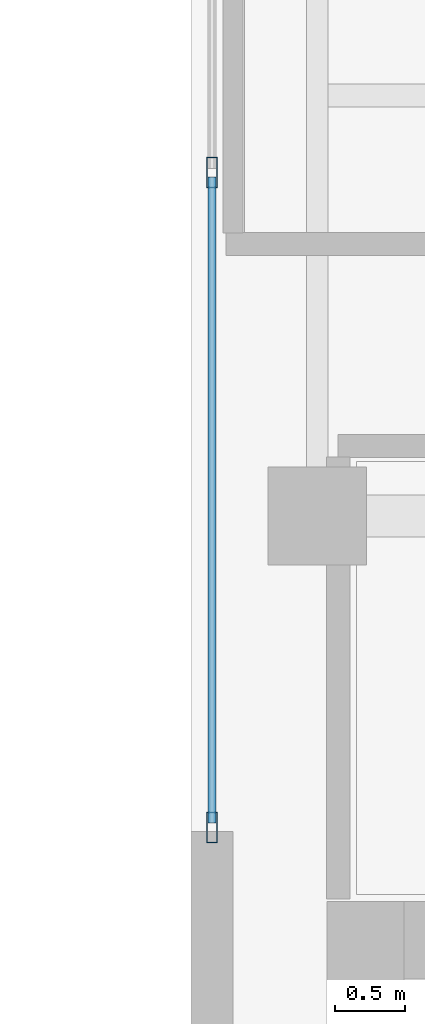
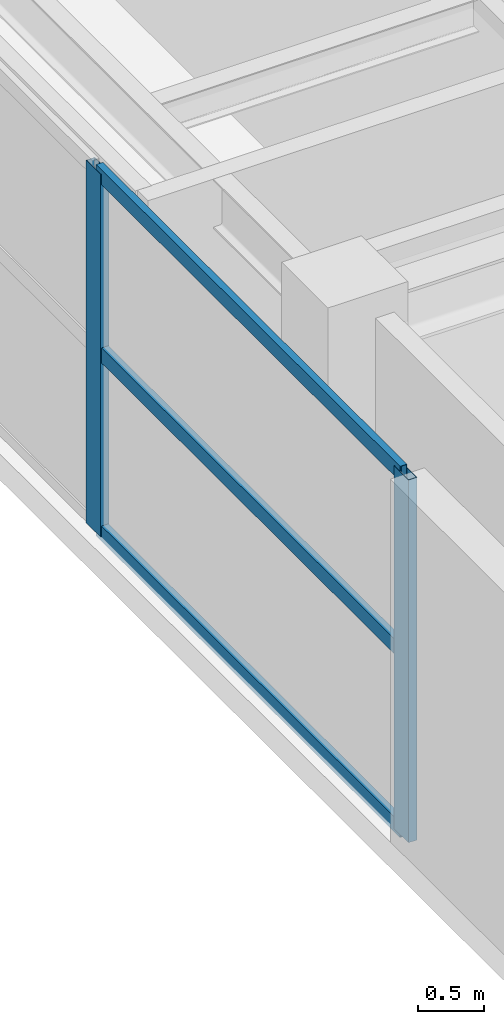
# One storey, part 10 of 24: 5 members, 1 element without a shape of its own.
"""IFC4 building model written with IfcOpenShell, lengths in metres."""

from ifc_helpers import new_model, si_unit, direction, frame, origin, origin_2d, place, context, subcontext, project, spatial, hollow_rectangle, extrude, source, transform, mapped, material, layer, layer_set, material_profile, profile_set, type_object, element, aggregate, save


model = new_model("IFC4")

# Units and contexts
model_context = context("Model", 3, precision=1e-05, world=origin(), true_north=direction((0.0, 1.0)))
body_context = subcontext(model_context, "Body", "Model", "MODEL_VIEW")
ifc_project = project(units=[si_unit("LENGTHUNIT", "METRE"), si_unit("AREAUNIT", "SQUARE_METRE"), si_unit("VOLUMEUNIT", "CUBIC_METRE"), si_unit("PLANEANGLEUNIT", "RADIAN"), si_unit("MASSUNIT", "GRAM", prefix="KILO")], contexts=[model_context])

# Site, building, storey
site_placement = place(None, origin())
site = spatial("IfcSite", under=ifc_project, at=site_placement, CompositionType="ELEMENT")
building_placement = place(site_placement, origin())
building = spatial("IfcBuilding", under=site, at=building_placement, Name="Khoralis Quay Care Tower", CompositionType="ELEMENT")
storey_placement = place(building_placement, frame((0.0, 0.0, 231.300048828125)))
storey = spatial("IfcBuildingStorey", under=building, at=storey_placement, Name="L60", CompositionType="ELEMENT", Elevation=231.300048828125)

# Curtain wall, members
ifc_material = material(Name="Pale anodised aluminium", Category="aluminium")
ifc_layer = layer(ifc_material, 0.18994140625)
ifc_layer_set = layer_set([ifc_layer], Name="Pale anodised aluminium")
curtain_wall_type = type_object("IfcCurtainWallType", Name="CW-SYS-PORTAL", PredefinedType="NOTDEFINED", material=ifc_layer_set)
curtain_wall_placement = place(storey_placement, origin())
curtain_wall = element("IfcCurtainWall", 1, at=curtain_wall_placement, inside=storey, type_object=curtain_wall_type, Name="L60 Unitised Curtain Wall CW-VP-L60-P2-N", PredefinedType="NOTDEFINED")
ifc_material_profile_1 = material_profile(ifc_material, hollow_rectangle(XDim=0.06005859375, YDim=0.139892578125, WallThickness=0.00390625, at=origin_2d()), Name="Pale anodised aluminium")
ifc_profile_set_1 = profile_set([ifc_material_profile_1], Name="Pale anodised aluminium")
member_type_1 = type_object("IfcMemberType", Name="CW-TRN-140", PredefinedType="USERDEFINED", material=ifc_profile_set_1)
shared_shape_1 = source(origin(), body_context, "Body", "SweptSolid", [
    extrude(hollow_rectangle(XDim=0.06005859375, YDim=0.139892578125, WallThickness=0.00390625, at=origin_2d()), origin(), (0.0, 0.0, 1.0), 4.60986328125),
])
member_1_placement = place(storey_placement, frame((30.14990234375, 27.81005859375, 0.030029296875), z_axis=(0.0, 1.0, 0.0), x_axis=(-1.0, 0.0, 0.0)))
member_1 = element("IfcMember", 2, at=member_1_placement, type_object=member_type_1, Name="CW4 transom 1.1", ObjectType="TRANSOM", PredefinedType="USERDEFINED", context=body_context, shape_type="MappedRepresentation", body=[
    mapped(shared_shape_1, transform((0.0, 0.0, 0.0), scale=1.0)),
])
member_2_placement = place(storey_placement, frame((30.14990234375, 27.81005859375, 1.679931640625), z_axis=(0.0, 1.0, 0.0), x_axis=(-1.0, 0.0, 0.0)))
member_2 = element("IfcMember", 3, at=member_2_placement, type_object=member_type_1, Name="CW4 transom 1.2", ObjectType="TRANSOM", PredefinedType="USERDEFINED", context=body_context, shape_type="MappedRepresentation", body=[
    mapped(shared_shape_1, transform((0.0, 0.0, 0.0), scale=1.0)),
])
member_3_placement = place(storey_placement, frame((30.14990234375, 27.81005859375, 3.329833984375), z_axis=(0.0, 1.0, 0.0), x_axis=(-1.0, 0.0, 0.0)))
member_3 = element("IfcMember", 4, at=member_3_placement, type_object=member_type_1, Name="CW4 transom 1.3", ObjectType="TRANSOM", PredefinedType="USERDEFINED", context=body_context, shape_type="MappedRepresentation", body=[
    mapped(shared_shape_1, transform((0.0, 0.0, 0.0), scale=1.0)),
])
ifc_material_profile_2 = material_profile(ifc_material, hollow_rectangle(XDim=0.074951171875, YDim=0.219970703125, WallThickness=0.00390625, at=origin_2d()), Name="Pale anodised aluminium")
ifc_profile_set_2 = profile_set([ifc_material_profile_2], Name="Pale anodised aluminium")
member_type_2 = type_object("IfcMemberType", Name="CW-MUL-220", PredefinedType="MULLION", material=ifc_profile_set_2)
shared_shape_2 = source(origin(), body_context, "Body", "SweptSolid", [
    extrude(hollow_rectangle(XDim=0.074951171875, YDim=0.219970703125, WallThickness=0.00390625, at=origin_2d()), origin(), (0.0, 0.0, 1.0), 3.35986328125),
])
member_4_placement = place(storey_placement, frame((30.14990234375, 27.780029296875, 0.0), z_axis=(0.0, 0.0, 1.0), x_axis=(-1.0, 0.0, 0.0)))
member_4 = element("IfcMember", 5, at=member_4_placement, type_object=member_type_2, Name="CW4 mullion 1", PredefinedType="MULLION", context=body_context, shape_type="MappedRepresentation", body=[
    mapped(shared_shape_2, transform((0.0, 0.0, 0.0), scale=1.0)),
])
member_5_placement = place(storey_placement, frame((30.14990234375, 32.449951171875, 0.0), z_axis=(0.0, 0.0, 1.0), x_axis=(-1.0, 0.0, 0.0)))
member_5 = element("IfcMember", 6, at=member_5_placement, type_object=member_type_2, Name="CW4 mullion 2", PredefinedType="MULLION", context=body_context, shape_type="MappedRepresentation", body=[
    mapped(shared_shape_2, transform((0.0, 0.0, 0.0), scale=1.0)),
])
aggregate(curtain_wall, [member_4, member_5, member_1, member_2, member_3])

save(model, "model.ifc")
